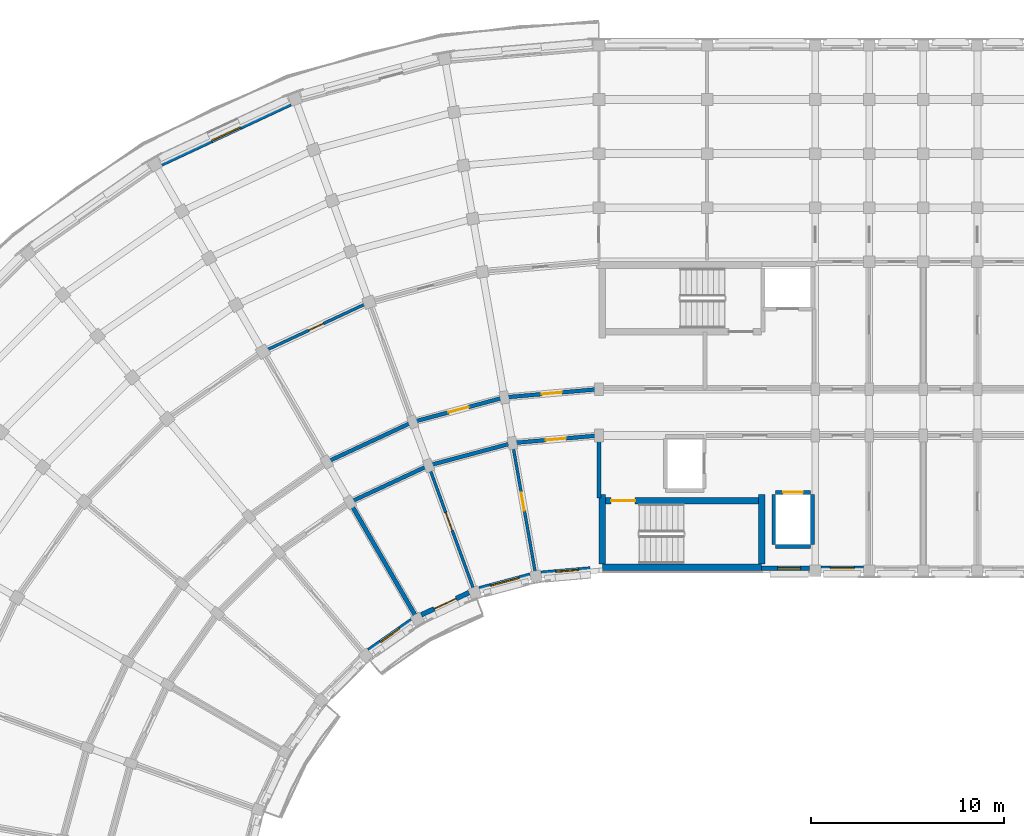
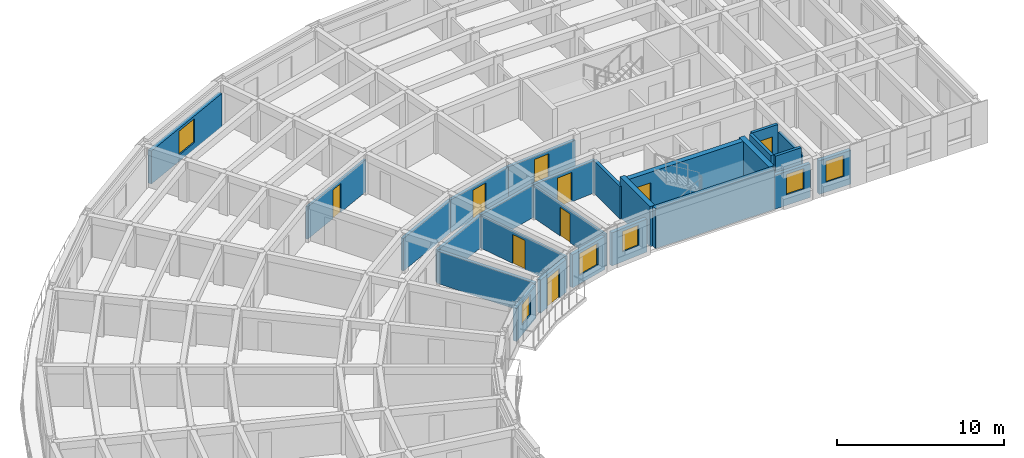
# One storey, part 14 of 36: 26 walls, 9 doors, 6 windows, 15 openings.
"""IFC4 building model written with IfcOpenShell, lengths in metres."""

from ifc_helpers import new_model, si_unit, direction, frame, frame_2d, origin, place, context, subcontext, project, spatial, rectangle, extrude, material, layer, layer_set, type_object, element, fill, save


model = new_model("IFC4")

# Units and contexts
model_context = context("Model", 3, precision=1e-05, world=origin(), true_north=direction((0.0, 1.0)))
body_context = subcontext(model_context, "Body", "Model", "MODEL_VIEW")
ifc_project = project(units=[si_unit("LENGTHUNIT", "METRE"), si_unit("AREAUNIT", "SQUARE_METRE"), si_unit("VOLUMEUNIT", "CUBIC_METRE"), si_unit("PLANEANGLEUNIT", "RADIAN"), si_unit("MASSUNIT", "GRAM", prefix="KILO")], contexts=[model_context])

# Site, building, storey
site_placement = place(None, origin())
site = spatial("IfcSite", under=ifc_project, at=site_placement, CompositionType="ELEMENT")
building_placement = place(site_placement, origin())
building = spatial("IfcBuilding", under=site, at=building_placement, Name="Kiranvali Square Residences", CompositionType="ELEMENT")
storey_placement = place(building_placement, frame((0.0, 0.0, 37.050048828125)))
storey = spatial("IfcBuildingStorey", under=building, at=storey_placement, Name="L11", CompositionType="ELEMENT", Elevation=37.050048828125)

# Wall, opening, door
ifc_material_1 = material(Name="Autoclaved aerated concrete blockwork masonry", Category="masonry")
ifc_layer_1 = layer(ifc_material_1, 0.199951171875)
ifc_layer_set_1 = layer_set([ifc_layer_1], Name="Autoclaved aerated concrete blockwork masonry")
wall_type_1 = type_object("IfcWallType", Name="WL-COR-200", PredefinedType="STANDARD", material=ifc_layer_set_1)
wall_1_placement = place(storey_placement, frame((48.199951171875, 113.60009765625, 0.0), z_axis=(0.0, 0.0, 1.0), x_axis=(-0.996191949488, -0.087187153726, 0.0)))
wall_1 = element("IfcWall", 1, at=wall_1_placement, inside=storey, type_object=wall_type_1, Name="L11 architectural wall WL-L11-A-CCI-0", PredefinedType="STANDARD", context=body_context, shape_type="SweptSolid", body=[
    extrude(rectangle(XDim=4.4970703125, YDim=0.199951171875, at=frame_2d((2.24853515625, 0.0))), origin(), (0.0, 0.0, 1.0), 2.3720703125),
])
opening_1_placement = place(wall_1_placement, frame((1.728515625, 0.0, 0.0)))
opening_1 = element("IfcOpeningElement", 2, at=opening_1_placement, cuts=wall_1, Name="Opening FD-APT-60B", PredefinedType="OPENING", context=body_context, shape_type="SweptSolid", body=[
    extrude(rectangle(XDim=1.0400390625, YDim=2.14990234375, at=frame_2d((0.52001953125, 1.074951171875))), frame((0.0, 0.10986328125, 0.0), z_axis=(0.0, -1.0, 0.0), x_axis=(1.0, 0.0, 0.0)), (0.0, 0.0, 1.0), 0.219970703125),
])
ifc_material_2 = material(Name="Fire-rated acoustic hardwood and mineral-core door assembly", Category="wood")
door_type_1 = type_object("IfcDoorType", Name="DR-APT-1040", OperationType="NOTDEFINED", PredefinedType="DOOR", material=ifc_material_2)
door_1_placement = place(opening_1_placement, frame((1.0400390625, 0.0, 0.0), z_axis=(0.0, 0.0, 1.0), x_axis=(-1.0, 0.0, 0.0)))
door_1 = element("IfcDoor", 3, at=door_1_placement, inside=storey, type_object=door_type_1, Name="L11 door DR-L11-0730 (DR-APT-1040)", OperationType="SINGLE_SWING_RIGHT", OverallHeight=2.14990234375, OverallWidth=1.0400390625, PredefinedType="DOOR", context=body_context, shape_type="SweptSolid", body=[
    extrude(rectangle(XDim=1.0400390625, YDim=2.14990234375, at=frame_2d((0.52001953125, 1.074951171875))), frame((0.0, 0.02490234375, 0.0), z_axis=(0.0, -1.0, 0.0), x_axis=(1.0, 0.0, 0.0)), (0.0, 0.0, 1.0), 0.050048828125),
])
fill(opening_1, door_1)

wall_2_placement = place(storey_placement, frame((48.199951171875, 116.0, 0.0), z_axis=(0.0, 0.0, 1.0), x_axis=(-0.996193663584, -0.087167566415, 0.0)))
wall_2 = element("IfcWall", 4, at=wall_2_placement, inside=storey, type_object=wall_type_1, Name="L11 architectural wall WL-L11-A-CCO-0", PredefinedType="STANDARD", context=body_context, shape_type="SweptSolid", body=[
    extrude(rectangle(XDim=4.91552734375, YDim=0.199951171875, at=frame_2d((2.457763671875, 0.0))), origin(), (0.0, 0.0, 1.0), 2.3720703125),
])
opening_2_placement = place(wall_2_placement, frame((1.937744140625, 0.0, 0.0)))
opening_2 = element("IfcOpeningElement", 5, at=opening_2_placement, cuts=wall_2, Name="Opening FD-APT-60B", PredefinedType="OPENING", context=body_context, shape_type="SweptSolid", body=[
    extrude(rectangle(XDim=1.0400390625, YDim=2.14990234375, at=frame_2d((0.52001953125, 1.074951171875))), frame((0.0, 0.10986328125, 0.0), z_axis=(0.0, -1.0, 0.0), x_axis=(1.0, 0.0, 0.0)), (0.0, 0.0, 1.0), 0.219970703125),
])
door_2_placement = place(opening_2_placement, origin())
door_2 = element("IfcDoor", 6, at=door_2_placement, inside=storey, type_object=door_type_1, Name="L11 door DR-L11-0717 (DR-APT-1040)", OperationType="SINGLE_SWING_LEFT", OverallHeight=2.14990234375, OverallWidth=1.0400390625, PredefinedType="DOOR", context=body_context, shape_type="SweptSolid", body=[
    extrude(rectangle(XDim=1.0400390625, YDim=2.14990234375, at=frame_2d((0.52001953125, 1.074951171875))), frame((0.0, 0.02490234375, 0.0), z_axis=(0.0, -1.0, 0.0), x_axis=(1.0, 0.0, 0.0)), (0.0, 0.0, 1.0), 0.050048828125),
])
fill(opening_2, door_2)

# Wall
wall_3_placement = place(storey_placement, frame((43.719970703125, 113.2080078125, 0.0), z_axis=(0.0, 0.0, 1.0), x_axis=(-0.965934240054, -0.258787642463, 0.0)))
element("IfcWall", 7, at=wall_3_placement, inside=storey, type_object=wall_type_1, Name="L11 architectural wall WL-L11-A-CCI-1", PredefinedType="STANDARD", context=body_context, shape_type="SweptSolid", body=[
    extrude(rectangle(XDim=4.497314453125, YDim=0.199951171875, at=frame_2d((2.24853515625, 0.0))), origin(), (0.0, 0.0, 1.0), 2.3720703125),
])

# Wall, opening, door
wall_4_placement = place(storey_placement, frame((43.30322265625, 115.571533203125, 0.0), z_axis=(0.0, 0.0, 1.0), x_axis=(-0.965930095386, -0.258803112091, 0.0)))
wall_4 = element("IfcWall", 8, at=wall_4_placement, inside=storey, type_object=wall_type_1, Name="L11 architectural wall WL-L11-A-CCO-1", PredefinedType="STANDARD", context=body_context, shape_type="SweptSolid", body=[
    extrude(rectangle(XDim=4.915771484375, YDim=0.199951171875, at=frame_2d((2.4580078125, 0.0))), origin(), (0.0, 0.0, 1.0), 2.3720703125),
])
opening_3_placement = place(wall_4_placement, frame((1.917724609375, 0.0, 0.0)))
opening_3 = element("IfcOpeningElement", 9, at=opening_3_placement, cuts=wall_4, Name="Opening FD-APT-60C", PredefinedType="OPENING", context=body_context, shape_type="SweptSolid", body=[
    extrude(rectangle(XDim=1.080078125, YDim=2.14990234375, at=frame_2d((0.5400390625, 1.074951171875))), frame((0.0, 0.10986328125, 0.0), z_axis=(0.0, -1.0, 0.0), x_axis=(1.0, 0.0, 0.0)), (0.0, 0.0, 1.0), 0.219970703125),
])
door_type_2 = type_object("IfcDoorType", Name="DR-APT-1080", OperationType="NOTDEFINED", PredefinedType="DOOR", material=ifc_material_2)
door_3_placement = place(opening_3_placement, origin())
door_3 = element("IfcDoor", 10, at=door_3_placement, inside=storey, type_object=door_type_2, Name="L11 door DR-L11-0719 (DR-APT-1080)", OperationType="SINGLE_SWING_LEFT", OverallHeight=2.14990234375, OverallWidth=1.080078125, PredefinedType="DOOR", context=body_context, shape_type="SweptSolid", body=[
    extrude(rectangle(XDim=1.080078125, YDim=2.14990234375, at=frame_2d((0.5400390625, 1.074951171875))), frame((0.0, 0.02490234375, 0.0), z_axis=(0.0, -1.0, 0.0), x_axis=(1.0, 0.0, 0.0)), (0.0, 0.0, 1.0), 0.050048828125),
])
fill(opening_3, door_3)

# Walls
wall_5_placement = place(storey_placement, frame((39.3759765625, 112.044189453125, 0.0), z_axis=(0.0, 0.0, 1.0), x_axis=(-0.906307919131, -0.422617978463, 0.0)))
element("IfcWall", 11, at=wall_5_placement, inside=storey, type_object=wall_type_1, Name="L11 architectural wall WL-L11-A-CCI-2", PredefinedType="STANDARD", context=body_context, shape_type="SweptSolid", body=[
    extrude(rectangle(XDim=4.497314453125, YDim=0.199951171875, at=frame_2d((2.24853515625, 0.0))), origin(), (0.0, 0.0, 1.0), 2.3720703125),
])
wall_6_placement = place(storey_placement, frame((38.554931640625, 114.29931640625, 0.0), z_axis=(0.0, 0.0, 1.0), x_axis=(-0.906302381024, -0.422629854778, 0.0)))
element("IfcWall", 12, at=wall_6_placement, inside=storey, type_object=wall_type_1, Name="L11 architectural wall WL-L11-A-CCO-2", PredefinedType="STANDARD", context=body_context, shape_type="SweptSolid", body=[
    extrude(rectangle(XDim=4.915283203125, YDim=0.199951171875, at=frame_2d((2.45751953125, 0.0))), origin(), (0.0, 0.0, 1.0), 2.3720703125),
])
ifc_layer_2 = layer(ifc_material_1, 0.219970703125)
ifc_layer_set_2 = layer_set([ifc_layer_2], Name="Autoclaved aerated concrete blockwork masonry")
wall_type_2 = type_object("IfcWallType", Name="WL-DEM-220", PredefinedType="STANDARD", material=ifc_layer_set_2)
wall_7_placement = place(storey_placement, frame((48.199951171875, 110.35009765625, 0.0), z_axis=(0.0, 0.0, 1.0), x_axis=(0.0, 1.0, 0.0)))
element("IfcWall", 13, at=wall_7_placement, inside=storey, type_object=wall_type_2, Name="L11 architectural wall WL-L11-A-RADI-0", PredefinedType="STANDARD", context=body_context, shape_type="SweptSolid", body=[
    extrude(rectangle(XDim=3.199951171875, YDim=0.219970703125, at=frame_2d((1.60009765625, 0.0))), origin(), (0.0, 0.0, 1.0), 2.3720703125),
])
wall_8_placement = place(storey_placement, frame((38.699951171875, 104.25439453125, 0.0), z_axis=(0.0, 0.0, 1.0), x_axis=(-0.499997969693, 0.866026575979, 0.0)))
element("IfcWall", 14, at=wall_8_placement, inside=storey, type_object=wall_type_2, Name="L11 architectural wall WL-L11-A-RADI-3", PredefinedType="STANDARD", context=body_context, shape_type="SweptSolid", body=[
    extrude(rectangle(XDim=6.75, YDim=0.219970703125, at=frame_2d((3.375, 0.0))), origin(), (0.0, 0.0, 1.0), 2.3720703125),
])

# Wall, opening, window
ifc_material_3 = material(Name="Breathable lime-rendered clay brick masonry", Category="masonry")
ifc_layer_3 = layer(ifc_material_3, 0.25)
ifc_layer_set_3 = layer_set([ifc_layer_3], Name="Breathable lime-rendered clay brick masonry")
wall_type_3 = type_object("IfcWallType", Name="WL-EXT-250", PredefinedType="STANDARD", material=ifc_layer_set_3)
wall_9_placement = place(storey_placement, frame((32.224853515625, 130.77490234375, 0.0), z_axis=(0.0, 0.0, 1.0), x_axis=(-0.906321090675, -0.422589730823, 0.0)))
wall_9 = element("IfcWall", 15, at=wall_9_placement, inside=storey, type_object=wall_type_3, Name="L11 exterior wall A-L11-CRV-02", PredefinedType="STANDARD", context=body_context, shape_type="SweptSolid", body=[
    extrude(rectangle(XDim=7.3671875, YDim=0.25, at=frame_2d((3.68359375, 0.0))), origin(), (0.0, 0.0, 1.0), 2.411865234375),
])
opening_4_placement = place(wall_9_placement, frame((2.8583984375, 0.0, 0.4619140625)))
opening_4 = element("IfcOpeningElement", 16, at=opening_4_placement, cuts=wall_9, Name="Opening W-13", PredefinedType="OPENING", context=body_context, shape_type="SweptSolid", body=[
    extrude(rectangle(XDim=1.64990234375, YDim=1.75, at=frame_2d((0.824951171875, 0.875))), frame((0.0, 0.135009765625, 0.0), z_axis=(0.0, -1.0, 0.0), x_axis=(1.0, 0.0, 0.0)), (0.0, 0.0, 1.0), 0.27001953125),
])
ifc_material_4 = material(Name="Solar-control low-e double glazing", Category="glass")
window_type_1 = type_object("IfcWindowType", Name="WIN-RES-1650x1750", PartitioningType="DOUBLE_PANEL_VERTICAL", PredefinedType="WINDOW", material=ifc_material_4)
window_1_placement = place(opening_4_placement, origin())
window_1 = element("IfcWindow", 17, at=window_1_placement, inside=storey, type_object=window_type_1, Name="L11 recessed window A-L11-CRV-02", OverallHeight=1.75, OverallWidth=1.64990234375, PartitioningType="DOUBLE_PANEL_VERTICAL", PredefinedType="WINDOW", context=body_context, shape_type="SweptSolid", body=[
    extrude(rectangle(XDim=1.64990234375, YDim=1.75, at=frame_2d((0.824951171875, 0.875))), frame((0.0, 0.030029296875, 0.0), z_axis=(0.0, -1.0, 0.0), x_axis=(1.0, 0.0, 0.0)), (0.0, 0.0, 1.0), 0.06005859375),
])
fill(opening_4, window_1)

wall_10_placement = place(storey_placement, frame((47.750732421875, 106.686279296875, 0.0), z_axis=(0.0, 0.0, 1.0), x_axis=(-0.996188847542, -0.087222589008, 0.0)))
wall_10 = element("IfcWall", 18, at=wall_10_placement, inside=storey, type_object=wall_type_3, Name="L11 exterior wall A-L11-GDN-00", PredefinedType="STANDARD", context=body_context, shape_type="SweptSolid", body=[
    extrude(rectangle(XDim=2.558349609375, YDim=0.25, at=frame_2d((1.279296875, 0.0))), origin(), (0.0, 0.0, 1.0), 2.421875),
])
opening_5_placement = place(wall_10_placement, frame((0.5986328125, 0.0, 0.721923828125)))
opening_5 = element("IfcOpeningElement", 19, at=opening_5_placement, cuts=wall_10, Name="Opening W-06", PredefinedType="OPENING", context=body_context, shape_type="SweptSolid", body=[
    extrude(rectangle(XDim=1.199951171875, YDim=1.5, at=frame_2d((0.60009765625, 0.75))), frame((0.0, 0.135009765625, 0.0), z_axis=(0.0, -1.0, 0.0), x_axis=(1.0, 0.0, 0.0)), (0.0, 0.0, 1.0), 0.27001953125),
])
window_type_2 = type_object("IfcWindowType", Name="WIN-RES-1200x1500", PartitioningType="SINGLE_PANEL", PredefinedType="WINDOW", material=ifc_material_4)
window_2_placement = place(opening_5_placement, origin())
window_2 = element("IfcWindow", 20, at=window_2_placement, inside=storey, type_object=window_type_2, Name="L11 recessed window A-L11-GDN-00", OverallHeight=1.5, OverallWidth=1.199951171875, PartitioningType="SINGLE_PANEL", PredefinedType="WINDOW", context=body_context, shape_type="SweptSolid", body=[
    extrude(rectangle(XDim=1.199951171875, YDim=1.5, at=frame_2d((0.60009765625, 0.75))), frame((0.0, 0.030029296875, 0.0), z_axis=(0.0, -1.0, 0.0), x_axis=(1.0, 0.0, 0.0)), (0.0, 0.0, 1.0), 0.06005859375),
])
fill(opening_5, window_2)

wall_11_placement = place(storey_placement, frame((44.6337890625, 106.363037109375, 0.0), z_axis=(0.0, 0.0, 1.0), x_axis=(-0.965928818058, -0.258807879411, 0.0)))
wall_11 = element("IfcWall", 21, at=wall_11_placement, inside=storey, type_object=wall_type_3, Name="L11 exterior wall A-L11-GDN-01", PredefinedType="STANDARD", context=body_context, shape_type="SweptSolid", body=[
    extrude(rectangle(XDim=2.7197265625, YDim=0.25, at=frame_2d((1.35986328125, 0.0))), origin(), (0.0, 0.0, 1.0), 2.421875),
])
opening_6_placement = place(wall_11_placement, frame((0.5849609375, 0.0, 0.6220703125)))
opening_6 = element("IfcOpeningElement", 22, at=opening_6_placement, cuts=wall_11, Name="Opening W-18", PredefinedType="OPENING", context=body_context, shape_type="SweptSolid", body=[
    extrude(rectangle(XDim=1.550048828125, YDim=1.60009765625, at=frame_2d((0.77490234375, 0.800048828125))), frame((0.0, 0.135009765625, 0.0), z_axis=(0.0, -1.0, 0.0), x_axis=(1.0, 0.0, 0.0)), (0.0, 0.0, 1.0), 0.27001953125),
])
window_type_3 = type_object("IfcWindowType", Name="WIN-GDN-1550x1600", PartitioningType="DOUBLE_PANEL_VERTICAL", PredefinedType="WINDOW", material=ifc_material_4)
window_3_placement = place(opening_6_placement, origin())
window_3 = element("IfcWindow", 23, at=window_3_placement, inside=storey, type_object=window_type_3, Name="L11 recessed window A-L11-GDN-01", OverallHeight=1.60009765625, OverallWidth=1.550048828125, PartitioningType="DOUBLE_PANEL_VERTICAL", PredefinedType="WINDOW", context=body_context, shape_type="SweptSolid", body=[
    extrude(rectangle(XDim=1.550048828125, YDim=1.60009765625, at=frame_2d((0.77490234375, 0.800048828125))), frame((0.0, 0.030029296875, 0.0), z_axis=(0.0, -1.0, 0.0), x_axis=(1.0, 0.0, 0.0)), (0.0, 0.0, 1.0), 0.06005859375),
])
fill(opening_6, window_3)

# Wall, opening, door
wall_12_placement = place(storey_placement, frame((41.464599609375, 105.461669921875, 0.0), z_axis=(0.0, 0.0, 1.0), x_axis=(-0.906302358412, -0.422629903269, 0.0)))
wall_12 = element("IfcWall", 24, at=wall_12_placement, inside=storey, type_object=wall_type_3, Name="L11 exterior wall A-L11-GDN-02", PredefinedType="STANDARD", context=body_context, shape_type="SweptSolid", body=[
    extrude(rectangle(XDim=2.7197265625, YDim=0.25, at=frame_2d((1.35986328125, 0.0))), origin(), (0.0, 0.0, 1.0), 2.421875),
])
opening_7_placement = place(wall_12_placement, frame((0.729736328125, 0.0, 0.0)))
opening_7 = element("IfcOpeningElement", 25, at=opening_7_placement, cuts=wall_12, Name="Opening ED-BAL-2", PredefinedType="OPENING", context=body_context, shape_type="SweptSolid", body=[
    extrude(rectangle(XDim=1.260009765625, YDim=2.14990234375, at=frame_2d((0.6298828125, 1.074951171875))), frame((0.0, 0.135009765625, 0.0), z_axis=(0.0, -1.0, 0.0), x_axis=(1.0, 0.0, 0.0)), (0.0, 0.0, 1.0), 0.27001953125),
])
ifc_material_5 = material(Name="Anodised bronze aluminium framing", Category="aluminium")
door_type_3 = type_object("IfcDoorType", Name="DR-BAL-1260", OperationType="NOTDEFINED", PredefinedType="DOOR", material=ifc_material_5)
door_4_placement = place(opening_7_placement, origin())
door_4 = element("IfcDoor", 26, at=door_4_placement, inside=storey, type_object=door_type_3, Name="L11 balcony terrace door", OperationType="SINGLE_SWING_RIGHT", OverallHeight=2.14990234375, OverallWidth=1.260009765625, PredefinedType="DOOR", context=body_context, shape_type="SweptSolid", body=[
    extrude(rectangle(XDim=1.260009765625, YDim=2.14990234375, at=frame_2d((0.6298828125, 1.074951171875))), frame((0.0, 0.02490234375, 0.0), z_axis=(0.0, -1.0, 0.0), x_axis=(1.0, 0.0, 0.0)), (0.0, 0.0, 1.0), 0.050048828125),
])
fill(opening_7, door_4)

# Wall, opening, window
wall_13_placement = place(storey_placement, frame((38.5, 104.02392578125, 0.0), z_axis=(0.0, 0.0, 1.0), x_axis=(-0.819126475299, -0.573612950921, 0.0)))
wall_13 = element("IfcWall", 27, at=wall_13_placement, inside=storey, type_object=wall_type_3, Name="L11 exterior wall A-L11-GDN-03", PredefinedType="STANDARD", context=body_context, shape_type="SweptSolid", body=[
    extrude(rectangle(XDim=2.7197265625, YDim=0.25, at=frame_2d((1.35986328125, 0.0))), origin(), (0.0, 0.0, 1.0), 2.421875),
])
opening_8_placement = place(wall_13_placement, frame((0.759765625, 0.0, 0.721923828125)))
opening_8 = element("IfcOpeningElement", 28, at=opening_8_placement, cuts=wall_13, Name="Opening W-06", PredefinedType="OPENING", context=body_context, shape_type="SweptSolid", body=[
    extrude(rectangle(XDim=1.199951171875, YDim=1.5, at=frame_2d((0.60009765625, 0.75))), frame((0.0, 0.135009765625, 0.0), z_axis=(0.0, -1.0, 0.0), x_axis=(1.0, 0.0, 0.0)), (0.0, 0.0, 1.0), 0.27001953125),
])
window_4_placement = place(opening_8_placement, origin())
window_4 = element("IfcWindow", 29, at=window_4_placement, inside=storey, type_object=window_type_2, Name="L11 recessed window A-L11-GDN-03", OverallHeight=1.5, OverallWidth=1.199951171875, PartitioningType="SINGLE_PANEL", PredefinedType="WINDOW", context=body_context, shape_type="SweptSolid", body=[
    extrude(rectangle(XDim=1.199951171875, YDim=1.5, at=frame_2d((0.60009765625, 0.75))), frame((0.0, 0.030029296875, 0.0), z_axis=(0.0, -1.0, 0.0), x_axis=(1.0, 0.0, 0.0)), (0.0, 0.0, 1.0), 0.06005859375),
])
fill(opening_8, window_4)

wall_14_placement = place(storey_placement, frame((56.62841796875, 106.72509765625, 0.0), z_axis=(0.0, 0.0, 1.0), x_axis=(1.0, 0.0, 0.0)))
wall_14 = element("IfcWall", 30, at=wall_14_placement, inside=storey, type_object=wall_type_3, Name="L11 exterior wall A-L11-A1IN-0", PredefinedType="STANDARD", context=body_context, shape_type="SweptSolid", body=[
    extrude(rectangle(XDim=2.468017578125, YDim=0.25, at=frame_2d((1.23388671875, 0.0))), origin(), (0.0, 0.0, 1.0), 2.471923828125),
])
opening_9_placement = place(wall_14_placement, frame((0.821533203125, 0.0, 0.77197265625)))
opening_9 = element("IfcOpeningElement", 31, at=opening_9_placement, cuts=wall_14, Name="Opening W-06", PredefinedType="OPENING", context=body_context, shape_type="SweptSolid", body=[
    extrude(rectangle(XDim=1.199951171875, YDim=1.5, at=frame_2d((0.60009765625, 0.75))), frame((0.0, 0.135009765625, 0.0), z_axis=(0.0, -1.0, 0.0), x_axis=(1.0, 0.0, 0.0)), (0.0, 0.0, 1.0), 0.27001953125),
])
window_5_placement = place(opening_9_placement, origin())
window_5 = element("IfcWindow", 32, at=window_5_placement, inside=storey, type_object=window_type_2, Name="L11 recessed window A-L11-A1IN-0", OverallHeight=1.5, OverallWidth=1.199951171875, PartitioningType="SINGLE_PANEL", PredefinedType="WINDOW", context=body_context, shape_type="SweptSolid", body=[
    extrude(rectangle(XDim=1.199951171875, YDim=1.5, at=frame_2d((0.60009765625, 0.75))), frame((0.0, 0.030029296875, 0.0), z_axis=(0.0, -1.0, 0.0), x_axis=(1.0, 0.0, 0.0)), (0.0, 0.0, 1.0), 0.06005859375),
])
fill(opening_9, window_5)

wall_15_placement = place(storey_placement, frame((59.70361328125, 106.72509765625, 0.0), z_axis=(0.0, 0.0, 1.0), x_axis=(1.0, 0.0, 0.0)))
wall_15 = element("IfcWall", 33, at=wall_15_placement, inside=storey, type_object=wall_type_3, Name="L11 exterior wall A-L11-A1I-0", PredefinedType="STANDARD", context=body_context, shape_type="SweptSolid", body=[
    extrude(rectangle(XDim=2.19287109375, YDim=0.25, at=frame_2d((1.096435546875, 0.0))), origin(), (0.0, 0.0, 1.0), 2.471923828125),
])
opening_10_placement = place(wall_15_placement, frame((0.471435546875, 0.0, 0.721923828125)))
opening_10 = element("IfcOpeningElement", 34, at=opening_10_placement, cuts=wall_15, Name="Opening W-19", PredefinedType="OPENING", context=body_context, shape_type="SweptSolid", body=[
    extrude(rectangle(XDim=1.25, YDim=1.550048828125, at=frame_2d((0.625, 0.77490234375))), frame((0.0, 0.135009765625, 0.0), z_axis=(0.0, -1.0, 0.0), x_axis=(1.0, 0.0, 0.0)), (0.0, 0.0, 1.0), 0.27001953125),
])
window_type_4 = type_object("IfcWindowType", Name="WIN-GDN-1250x1550", PartitioningType="SINGLE_PANEL", PredefinedType="WINDOW", material=ifc_material_4)
window_6_placement = place(opening_10_placement, origin())
window_6 = element("IfcWindow", 35, at=window_6_placement, inside=storey, type_object=window_type_4, Name="L11 recessed window A-L11-A1I-0", OverallHeight=1.550048828125, OverallWidth=1.25, PartitioningType="SINGLE_PANEL", PredefinedType="WINDOW", context=body_context, shape_type="SweptSolid", body=[
    extrude(rectangle(XDim=1.25, YDim=1.550048828125, at=frame_2d((0.625, 0.77490234375))), frame((0.0, 0.030029296875, 0.0), z_axis=(0.0, -1.0, 0.0), x_axis=(1.0, 0.0, 0.0)), (0.0, 0.0, 1.0), 0.06005859375),
])
fill(opening_10, window_6)

# Wall, opening, door
ifc_material_6 = material(Name="Acoustic gypsum board drylined partition", Category="gypsum")
ifc_layer_4 = layer(ifc_material_6, 0.14990234375)
ifc_layer_set_4 = layer_set([ifc_layer_4], Name="Acoustic gypsum board drylined partition")
wall_type_4 = type_object("IfcWallType", Name="WL-PRT-150", PredefinedType="PARTITIONING", material=ifc_layer_set_4)
wall_16_placement = place(storey_placement, frame((44.900634765625, 106.51123046875, 0.0), z_axis=(0.0, 0.0, 1.0), x_axis=(-0.173647089161, 0.984807944945, 0.0)))
wall_16 = element("IfcWall", 36, at=wall_16_placement, inside=storey, type_object=wall_type_4, Name="L11 architectural wall WL-L11-A-RADI-1", PredefinedType="PARTITIONING", context=body_context, shape_type="SweptSolid", body=[
    extrude(rectangle(XDim=6.75, YDim=0.14990234375, at=frame_2d((3.375, 0.0))), origin(), (0.0, 0.0, 1.0), 2.3720703125),
])
opening_11_placement = place(wall_16_placement, frame((3.242431640625, 0.0, 0.0)))
opening_11 = element("IfcOpeningElement", 37, at=opening_11_placement, cuts=wall_16, Name="Opening ID-2", PredefinedType="OPENING", context=body_context, shape_type="SweptSolid", body=[
    extrude(rectangle(XDim=0.93994140625, YDim=2.10009765625, at=frame_2d((0.469970703125, 1.050048828125))), frame((0.0, 0.0849609375, 0.0), z_axis=(0.0, -1.0, 0.0), x_axis=(1.0, 0.0, 0.0)), (0.0, 0.0, 1.0), 0.169921875),
])
ifc_material_7 = material(Name="Solid seasoned teak hardwood joinery", Category="wood")
door_type_4 = type_object("IfcDoorType", Name="DR-INT-940", OperationType="NOTDEFINED", PredefinedType="DOOR", material=ifc_material_7)
door_5_placement = place(opening_11_placement, frame((0.93994140625, 0.0, 0.0), z_axis=(0.0, 0.0, 1.0), x_axis=(-1.0, 0.0, 0.0)))
door_5 = element("IfcDoor", 38, at=door_5_placement, inside=storey, type_object=door_type_4, Name="L11 door DR-L11-0706 (DR-INT-940)", OperationType="SINGLE_SWING_RIGHT", OverallHeight=2.10009765625, OverallWidth=0.93994140625, PredefinedType="DOOR", context=body_context, shape_type="SweptSolid", body=[
    extrude(rectangle(XDim=0.93994140625, YDim=2.10009765625, at=frame_2d((0.469970703125, 1.050048828125))), frame((0.0, 0.02490234375, 0.0), z_axis=(0.0, -1.0, 0.0), x_axis=(1.0, 0.0, 0.0)), (0.0, 0.0, 1.0), 0.050048828125),
])
fill(opening_11, door_5)

wall_17_placement = place(storey_placement, frame((41.70166015625, 105.654052734375, 0.0), z_axis=(0.0, 0.0, 1.0), x_axis=(-0.342010221662, 0.939696231917, 0.0)))
wall_17 = element("IfcWall", 39, at=wall_17_placement, inside=storey, type_object=wall_type_4, Name="L11 architectural wall WL-L11-A-RADI-2", PredefinedType="PARTITIONING", context=body_context, shape_type="SweptSolid", body=[
    extrude(rectangle(XDim=6.75, YDim=0.14990234375, at=frame_2d((3.375, 0.0))), origin(), (0.0, 0.0, 1.0), 2.3720703125),
])
opening_12_placement = place(wall_17_placement, frame((3.222412109375, 0.0, 0.0)))
opening_12 = element("IfcOpeningElement", 40, at=opening_12_placement, cuts=wall_17, Name="Opening ID-3", PredefinedType="OPENING", context=body_context, shape_type="SweptSolid", body=[
    extrude(rectangle(XDim=0.97998046875, YDim=2.1201171875, at=frame_2d((0.489990234375, 1.06005859375))), frame((0.0, 0.0849609375, 0.0), z_axis=(0.0, -1.0, 0.0), x_axis=(1.0, 0.0, 0.0)), (0.0, 0.0, 1.0), 0.169921875),
])
door_type_5 = type_object("IfcDoorType", Name="DR-INT-980", OperationType="NOTDEFINED", PredefinedType="DOOR", material=ifc_material_7)
door_6_placement = place(opening_12_placement, origin())
door_6 = element("IfcDoor", 41, at=door_6_placement, inside=storey, type_object=door_type_5, Name="L11 door DR-L11-0707 (DR-INT-980)", OperationType="SINGLE_SWING_LEFT", OverallHeight=2.1201171875, OverallWidth=0.97998046875, PredefinedType="DOOR", context=body_context, shape_type="SweptSolid", body=[
    extrude(rectangle(XDim=0.97998046875, YDim=2.1201171875, at=frame_2d((0.489990234375, 1.06005859375))), frame((0.0, 0.02490234375, 0.0), z_axis=(0.0, -1.0, 0.0), x_axis=(1.0, 0.0, 0.0)), (0.0, 0.0, 1.0), 0.050048828125),
])
fill(opening_12, door_6)

# Walls
ifc_layer_5 = layer(ifc_material_1, 0.199951171875)
ifc_layer_set_5 = layer_set([ifc_layer_5], Name="Autoclaved aerated concrete blockwork masonry")
wall_type_5 = type_object("IfcWallType", Name="WL-SHF-200", PredefinedType="STANDARD", material=ifc_layer_set_5)
wall_18_placement = place(storey_placement, frame((57.25, 107.949951171875, 0.0), z_axis=(0.0, 0.0, 1.0), x_axis=(0.0, 1.0, 0.0)))
element("IfcWall", 42, at=wall_18_placement, inside=storey, type_object=wall_type_5, Name="L11 architectural wall WL-L11-A-LP1-S1", PredefinedType="STANDARD", context=body_context, shape_type="SweptSolid", body=[
    extrude(rectangle(XDim=2.60009765625, YDim=0.199951171875, at=frame_2d((1.300048828125, 0.0))), origin(), (0.0, 0.0, 1.0), 2.929931640625),
])
wall_19_placement = place(storey_placement, frame((59.25, 107.949951171875, 0.0), z_axis=(0.0, 0.0, 1.0), x_axis=(0.0, 1.0, 0.0)))
element("IfcWall", 43, at=wall_19_placement, inside=storey, type_object=wall_type_5, Name="L11 architectural wall WL-L11-A-LP1-B", PredefinedType="STANDARD", context=body_context, shape_type="SweptSolid", body=[
    extrude(rectangle(XDim=2.60009765625, YDim=0.199951171875, at=frame_2d((1.300048828125, 0.0))), origin(), (0.0, 0.0, 1.0), 2.3720703125),
])
wall_20_placement = place(storey_placement, frame((57.35009765625, 107.85009765625, 0.0), z_axis=(0.0, 0.0, 1.0), x_axis=(1.0, 0.0, 0.0)))
element("IfcWall", 44, at=wall_20_placement, inside=storey, type_object=wall_type_5, Name="L11 architectural wall WL-L11-A-LP1-S2", PredefinedType="STANDARD", context=body_context, shape_type="SweptSolid", body=[
    extrude(rectangle(XDim=1.7998046875, YDim=0.199951171875, at=frame_2d((0.89990234375, 0.0))), origin(), (0.0, 0.0, 1.0), 2.929931640625),
])

# Wall, opening, door
wall_21_placement = place(storey_placement, frame((57.35009765625, 110.64990234375, 0.0), z_axis=(0.0, 0.0, 1.0), x_axis=(1.0, 0.0, 0.0)))
wall_21 = element("IfcWall", 45, at=wall_21_placement, inside=storey, type_object=wall_type_5, Name="L11 architectural wall WL-L11-A-LP1-F", PredefinedType="STANDARD", context=body_context, shape_type="SweptSolid", body=[
    extrude(rectangle(XDim=1.7998046875, YDim=0.199951171875, at=frame_2d((0.89990234375, 0.0))), origin(), (0.0, 0.0, 1.0), 2.929931640625),
])
opening_13_placement = place(wall_21_placement, frame((0.389892578125, 0.0, 0.0)))
opening_13 = element("IfcOpeningElement", 46, at=opening_13_placement, cuts=wall_21, Name="Opening LD-PAX-100", PredefinedType="OPENING", context=body_context, shape_type="SweptSolid", body=[
    extrude(rectangle(XDim=1.02001953125, YDim=2.14990234375, at=frame_2d((0.510009765625, 1.074951171875))), frame((0.0, 0.10986328125, 0.0), z_axis=(0.0, -1.0, 0.0), x_axis=(1.0, 0.0, 0.0)), (0.0, 0.0, 1.0), 0.219970703125),
])
door_type_6 = type_object("IfcDoorType", Name="DR-LIFT-1000", OperationType="SLIDING_TO_RIGHT", PredefinedType="DOOR", material=ifc_material_2)
door_7_placement = place(opening_13_placement, origin())
door_7 = element("IfcDoor", 47, at=door_7_placement, inside=storey, type_object=door_type_6, Name="L11 door DR-L11-0684 (DR-LIFT-1000)", OperationType="SLIDING_TO_RIGHT", OverallHeight=2.14990234375, OverallWidth=1.02001953125, PredefinedType="DOOR", context=body_context, shape_type="SweptSolid", body=[
    extrude(rectangle(XDim=1.02001953125, YDim=2.14990234375, at=frame_2d((0.510009765625, 1.074951171875))), frame((0.0, 0.02490234375, 0.0), z_axis=(0.0, -1.0, 0.0), x_axis=(1.0, 0.0, 0.0)), (0.0, 0.0, 1.0), 0.050048828125),
])
fill(opening_13, door_7)

# Wall
ifc_material_8 = material(Name="Concrete M45 (45 MPa)", Category="concrete")
ifc_layer_6 = layer(ifc_material_8, 0.320068359375)
ifc_layer_set_6 = layer_set([ifc_layer_6], Name="Concrete M45 (45 MPa)")
wall_type_6 = type_object("IfcWallType", Name="WL-SHR-320", PredefinedType="SHEAR", material=ifc_layer_set_6)
wall_22_placement = place(storey_placement, frame((48.375, 106.77490234375, 0.0), z_axis=(0.0, 0.0, 1.0), x_axis=(1.0, 0.0, 0.0)))
element("IfcWall", 48, at=wall_22_placement, inside=storey, type_object=wall_type_6, Name="Block A core shear wall SW-A2-OUT-L11", PredefinedType="SHEAR", context=body_context, shape_type="SweptSolid", body=[
    extrude(rectangle(XDim=8.25, YDim=0.35009765625, at=frame_2d((4.125, 0.0))), origin(), (0.0, 0.0, 1.0), 2.929931640625),
])

# Wall, opening, door
wall_23_placement = place(storey_placement, frame((48.550048828125, 110.22509765625, 0.0), z_axis=(0.0, 0.0, 1.0), x_axis=(1.0, 0.0, 0.0)))
wall_23 = element("IfcWall", 49, at=wall_23_placement, inside=storey, type_object=wall_type_6, Name="Block A core shear wall SW-A2-IN-L11", PredefinedType="SHEAR", context=body_context, shape_type="SweptSolid", body=[
    extrude(rectangle(XDim=7.89990234375, YDim=0.35009765625, at=frame_2d((3.949951171875, 0.0))), origin(), (0.0, 0.0, 1.0), 2.929931640625),
])
opening_14_placement = place(wall_23_placement, frame((0.280029296875, 0.0, 0.0)))
opening_14 = element("IfcOpeningElement", 50, at=opening_14_placement, cuts=wall_23, Name="Opening FD-ST-120", PredefinedType="OPENING", context=body_context, shape_type="SweptSolid", body=[
    extrude(rectangle(XDim=1.239990234375, YDim=2.14990234375, at=frame_2d((0.6201171875, 1.074951171875))), frame((0.0, 0.18505859375, 0.0), z_axis=(0.0, -1.0, 0.0), x_axis=(1.0, 0.0, 0.0)), (0.0, 0.0, 1.0), 0.3701171875),
])
door_type_7 = type_object("IfcDoorType", Name="DR-FD120-1200", OperationType="NOTDEFINED", PredefinedType="DOOR", material=ifc_material_2)
door_8_placement = place(opening_14_placement, frame((1.239990234375, 0.0, 0.0), z_axis=(0.0, 0.0, 1.0), x_axis=(-1.0, 0.0, 0.0)))
door_8 = element("IfcDoor", 51, at=door_8_placement, inside=storey, type_object=door_type_7, Name="L11 door DR-L11-0682 (DR-FD120-1200)", OperationType="SINGLE_SWING_RIGHT", OverallHeight=2.14990234375, OverallWidth=1.239990234375, PredefinedType="DOOR", context=body_context, shape_type="SweptSolid", body=[
    extrude(rectangle(XDim=1.239990234375, YDim=2.14990234375, at=frame_2d((0.6201171875, 1.074951171875))), frame((0.0, 0.02490234375, 0.0), z_axis=(0.0, -1.0, 0.0), x_axis=(1.0, 0.0, 0.0)), (0.0, 0.0, 1.0), 0.050048828125),
])
fill(opening_14, door_8)

# Walls
for number, where, z_axis, x_axis, name in (
    (52, (48.375, 106.949951171875, 0.0), (0.0, 0.0, 1.0), (0.0, 1.0, 0.0), "Block A core shear wall SW-A2-NEAR-L11"),
    (53, (56.625, 106.949951171875, 0.0), (0.0, 0.0, 1.0), (0.0, 1.0, 0.0), "Block A core shear wall SW-A2-FAR-L11"),
):
    element("IfcWall", number, at=place(storey_placement, frame(where, z_axis=z_axis, x_axis=x_axis)), inside=storey, type_object=wall_type_6, Name=name, PredefinedType="SHEAR", context=body_context, shape_type="SweptSolid", body=[
        extrude(rectangle(XDim=3.60009765625, YDim=0.35009765625, at=frame_2d((1.800048828125, 0.0))), origin(), (0.0, 0.0, 1.0), 2.929931640625),
    ])

# Wall, opening, door
ifc_layer_7 = layer(ifc_material_1, 0.14990234375)
ifc_layer_set_7 = layer_set([ifc_layer_7], Name="Autoclaved aerated concrete blockwork masonry")
wall_type_7 = type_object("IfcWallType", Name="WL-WET-150", PredefinedType="PLUMBINGWALL", material=ifc_layer_set_7)
wall_24_placement = place(storey_placement, frame((36.297607421875, 120.501220703125, 0.0), z_axis=(0.0, 0.0, 1.0), x_axis=(-0.906312656069, -0.42260781991, 0.0)))
wall_24 = element("IfcWall", 54, at=wall_24_placement, inside=storey, type_object=wall_type_7, Name="L11 architectural wall WL-L11-A-CWET-2", PredefinedType="PLUMBINGWALL", context=body_context, shape_type="SweptSolid", body=[
    extrude(rectangle(XDim=6.06591796875, YDim=0.14990234375, at=frame_2d((3.032958984375, 0.0))), origin(), (0.0, 0.0, 1.0), 2.3720703125),
])
opening_15_placement = place(wall_24_placement, frame((2.613037109375, 0.0, 0.0)))
opening_15 = element("IfcOpeningElement", 55, at=opening_15_placement, cuts=wall_24, Name="Opening ID-WET2", PredefinedType="OPENING", context=body_context, shape_type="SweptSolid", body=[
    extrude(rectangle(XDim=0.840087890625, YDim=2.10009765625, at=frame_2d((0.419921875, 1.050048828125))), frame((0.0, 0.0849609375, 0.0), z_axis=(0.0, -1.0, 0.0), x_axis=(1.0, 0.0, 0.0)), (0.0, 0.0, 1.0), 0.169921875),
])
door_type_8 = type_object("IfcDoorType", Name="DR-WET-840", OperationType="NOTDEFINED", PredefinedType="DOOR", material=ifc_material_7)
door_9_placement = place(opening_15_placement, origin())
door_9 = element("IfcDoor", 56, at=door_9_placement, inside=storey, type_object=door_type_8, Name="L11 door DR-L11-0721 (DR-WET-840)", OperationType="SINGLE_SWING_LEFT", OverallHeight=2.10009765625, OverallWidth=0.840087890625, PredefinedType="DOOR", context=body_context, shape_type="SweptSolid", body=[
    extrude(rectangle(XDim=0.840087890625, YDim=2.10009765625, at=frame_2d((0.419921875, 1.050048828125))), frame((0.0, 0.02490234375, 0.0), z_axis=(0.0, -1.0, 0.0), x_axis=(1.0, 0.0, 0.0)), (0.0, 0.0, 1.0), 0.050048828125),
])
fill(opening_15, door_9)

save(model, "model.ifc")
